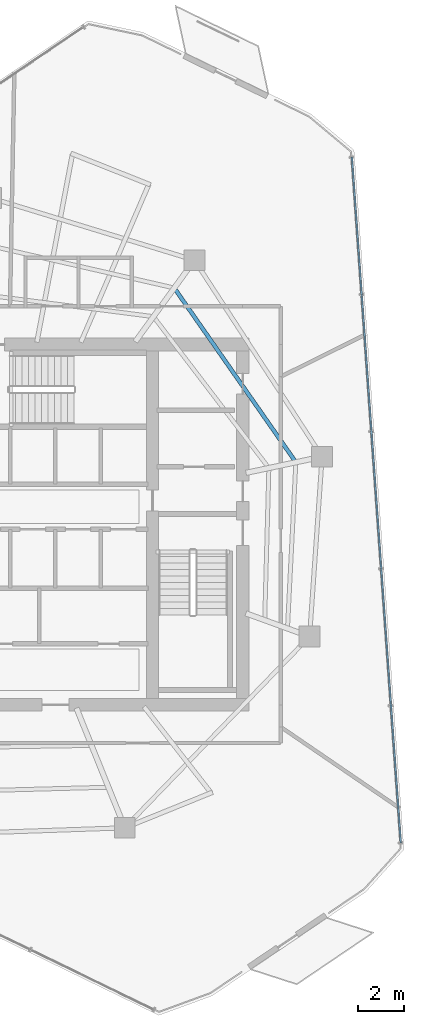
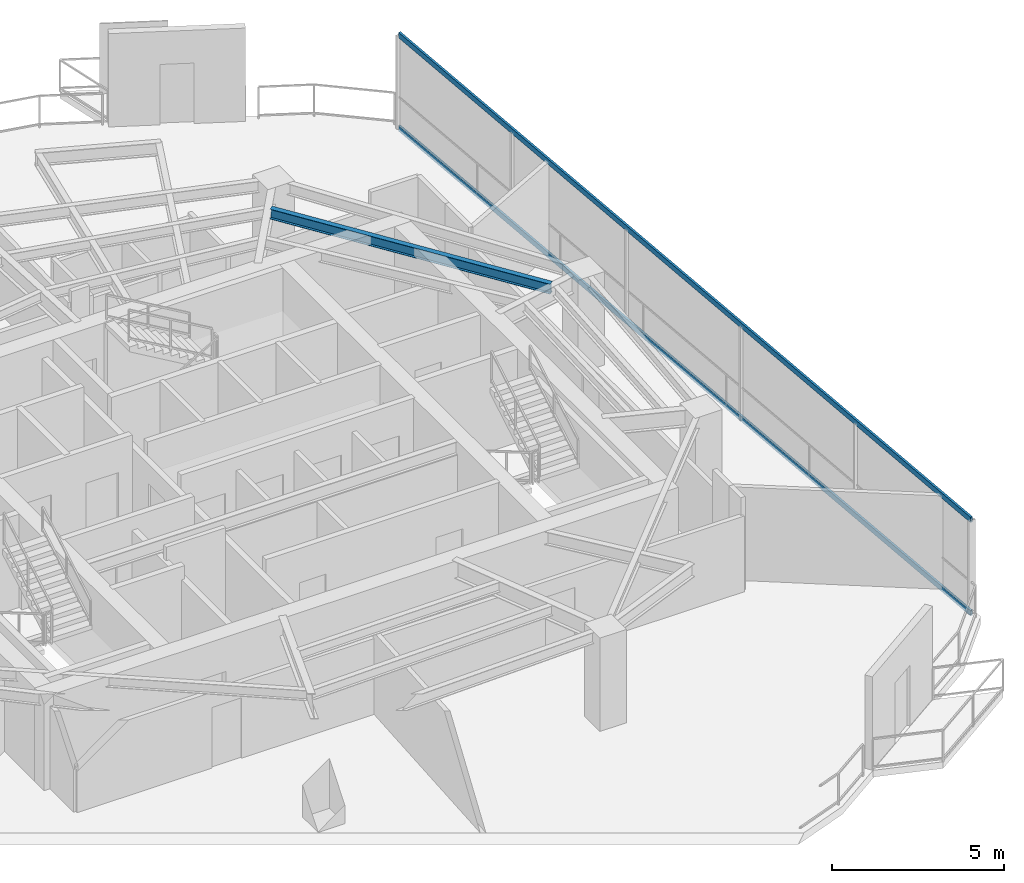
# One storey, part 10 of 20: 2 members, 1 beam, 1 element without a shape of its own.
"""IFC4 building model written with IfcOpenShell, lengths in metres."""

from ifc_helpers import new_model, si_unit, direction, frame, origin, origin_2d, place, context, subcontext, project, spatial, hollow_rectangle, i_section, extrude, material, layer, layer_set, material_profile, profile_set, type_object, element, aggregate, save


model = new_model("IFC4")

# Units and contexts
model_context = context("Model", 3, precision=1e-05, world=origin(), true_north=direction((0.0, 1.0)))
body_context = subcontext(model_context, "Body", "Model", "MODEL_VIEW")
ifc_project = project(units=[si_unit("LENGTHUNIT", "METRE"), si_unit("AREAUNIT", "SQUARE_METRE"), si_unit("VOLUMEUNIT", "CUBIC_METRE"), si_unit("PLANEANGLEUNIT", "RADIAN"), si_unit("MASSUNIT", "GRAM", prefix="KILO")], contexts=[model_context])

# Site, building, storey
site_placement = place(None, origin())
site = spatial("IfcSite", under=ifc_project, at=site_placement, CompositionType="ELEMENT")
building_placement = place(site_placement, origin())
building = spatial("IfcBuilding", under=site, at=building_placement, Name="Qarnah Convention Tower", CompositionType="ELEMENT")
storey_placement = place(building_placement, frame((0.0, 0.0, 195.0)))
storey = spatial("IfcBuildingStorey", under=building, at=storey_placement, Name="L52", CompositionType="ELEMENT", Elevation=195.0)

# Beam
ifc_material_1 = material(Name="Structural steel S355JR", Category="steel")
ifc_material_profile_1 = material_profile(ifc_material_1, i_section(OverallWidth=0.172119140625, OverallDepth=0.35595703125, WebThickness=0.007080078125, FlangeThickness=0.011962890625, at=origin_2d()), Name="W360X51")
ifc_profile_set_1 = profile_set([ifc_material_profile_1], Name="Structural steel S355JR")
beam_type = type_object("IfcBeamType", Name="BM-JST-W360", PredefinedType="JOIST", material=ifc_profile_set_1)
beam_placement = place(storey_placement, frame((49.85400390625, 29.175048828125, 3.14208984375), z_axis=(-0.572298893937, 0.820045106076, 0.0), x_axis=(-0.820045106076, -0.572298893937, 0.0)))
element("IfcBeam", 1, at=beam_placement, inside=storey, type_object=beam_type, Name="L52 joist BM-L52-SJST-01", PredefinedType="JOIST", context=body_context, shape_type="SweptSolid", body=[
    extrude(i_section(OverallWidth=0.172119140625, OverallDepth=0.35595703125, WebThickness=0.007080078125, FlangeThickness=0.011962890625, at=origin_2d()), origin(), (0.0, 0.0, 1.0), 9.017822265625),
])

# Curtain wall, members
ifc_material_2 = material(Name="Tempered Low-E dark glass", Category="glass")
ifc_layer = layer(ifc_material_2, 0.174072265625)
ifc_layer_set = layer_set([ifc_layer], Name="Tempered Low-E dark glass")
curtain_wall_type = type_object("IfcCurtainWallType", Name="CWS-04", PredefinedType="NOTDEFINED", material=ifc_layer_set)
curtain_wall_placement = place(storey_placement, origin())
curtain_wall = element("IfcCurtainWall", 2, at=curtain_wall_placement, inside=storey, type_object=curtain_wall_type, Name="L52 unitised curtain wall CW-L52-F3", PredefinedType="NOTDEFINED")
ifc_material_3 = material(Name="Black anodised aluminium", Category="aluminium")
ifc_material_profile_2 = material_profile(ifc_material_3, hollow_rectangle(XDim=0.074951171875, YDim=0.18994140625, WallThickness=0.0048828125, at=origin_2d()), Name="TRN-75X190")
ifc_profile_set_2 = profile_set([ifc_material_profile_2], Name="Black anodised aluminium")
member_type = type_object("IfcMemberType", Name="TRN-T4", PredefinedType="USERDEFINED", material=ifc_profile_set_2)
member_1_placement = place(storey_placement, frame((52.327880859375, 42.304931640625, 0.0), z_axis=(0.071135072774, -0.997466691886, 0.0), x_axis=(0.997466691886, 0.071135072774, 0.0)))
member_1 = element("IfcMember", 3, at=member_1_placement, type_object=member_type, Name="CW-L52-F3 transom 1", ObjectType="TRANSOM", PredefinedType="USERDEFINED", context=body_context, shape_type="SweptSolid", body=[
    extrude(hollow_rectangle(XDim=0.074951171875, YDim=0.18994140625, WallThickness=0.0048828125, at=origin_2d()), origin(), (0.0, 0.0, 1.0), 29.749267578125),
])
member_2_placement = place(storey_placement, frame((52.327880859375, 42.304931640625, 3.320068359375), z_axis=(0.071135072774, -0.997466691886, 0.0), x_axis=(0.997466691886, 0.071135072774, 0.0)))
member_2 = element("IfcMember", 4, at=member_2_placement, type_object=member_type, Name="CW-L52-F3 transom 2", ObjectType="TRANSOM", PredefinedType="USERDEFINED", context=body_context, shape_type="SweptSolid", body=[
    extrude(hollow_rectangle(XDim=0.074951171875, YDim=0.18994140625, WallThickness=0.0048828125, at=origin_2d()), origin(), (0.0, 0.0, 1.0), 29.749267578125),
])
aggregate(curtain_wall, [member_1, member_2])

save(model, "model.ifc")
